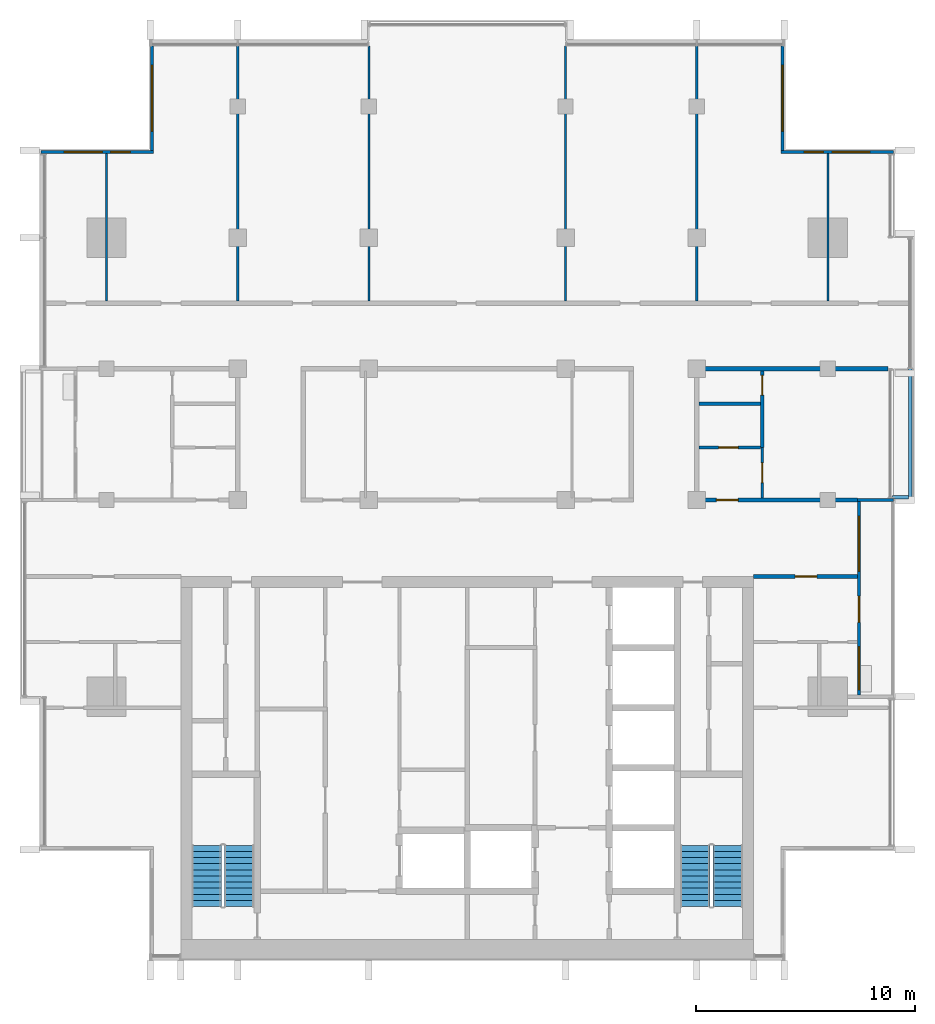
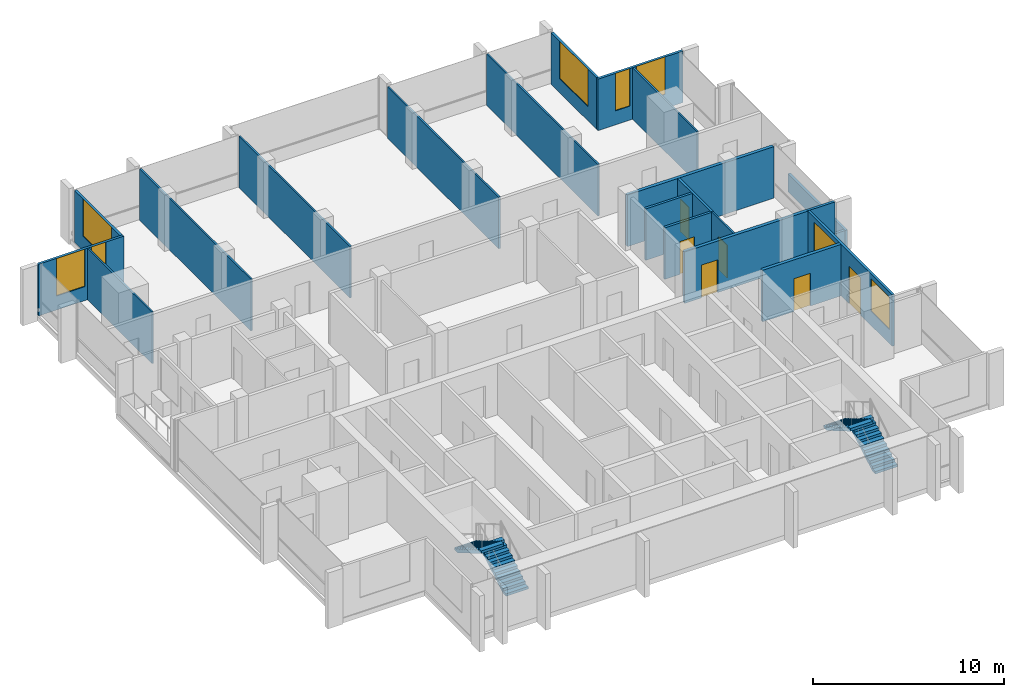
# One storey, part 10 of 15: 21 walls, 8 windows, 6 doors, 4 stair flights, 14 openings, 2 elements without a shape of their own.
"""IFC4 building model written with IfcOpenShell, lengths in metres."""

from ifc_helpers import new_model, si_unit, direction, frame, frame_2d, origin, place, context, subcontext, project, spatial, polyline, rectangle, outline, extrude, material, layer, layer_set, type_object, element, fill, aggregate, save


model = new_model("IFC4")

# Units and contexts
model_context = context("Model", 3, precision=1e-05, world=origin(), true_north=direction((0.0, 1.0)))
body_context = subcontext(model_context, "Body", "Model", "MODEL_VIEW")
ifc_project = project(units=[si_unit("LENGTHUNIT", "METRE"), si_unit("AREAUNIT", "SQUARE_METRE"), si_unit("VOLUMEUNIT", "CUBIC_METRE"), si_unit("PLANEANGLEUNIT", "RADIAN"), si_unit("MASSUNIT", "GRAM", prefix="KILO")], contexts=[model_context])

# Site, building, storey
site_placement = place(None, origin())
site = spatial("IfcSite", under=ifc_project, at=site_placement, CompositionType="ELEMENT")
building_placement = place(site_placement, origin())
building = spatial("IfcBuilding", under=site, at=building_placement, Name="Finial Court Residences", CompositionType="ELEMENT")
storey_placement = place(building_placement, frame((0.0, 0.0, 266.300048828125)))
storey = spatial("IfcBuildingStorey", under=building, at=storey_placement, Name="L67", CompositionType="ELEMENT", Elevation=266.300048828125)

# Wall, opening, door
ifc_material_1 = material(Name="Gypsum board")
ifc_layer_1 = layer(ifc_material_1, 0.02490234375)
ifc_material_2 = material(Name="Acoustic mineral wool in double frame")
ifc_layer_2 = layer(ifc_material_2, 0.14990234375)
ifc_layer_3 = layer(ifc_material_1, 0.02490234375)
ifc_layer_set_1 = layer_set([ifc_layer_1, ifc_layer_2, ifc_layer_3], Name="Corridor wall 200, 1 hour")
wall_type_1 = type_object("IfcWallType", Name="Corridor wall 200, 1 hour", PredefinedType="PARTITIONING", material=ifc_layer_set_1)
wall_1_placement = place(storey_placement, frame((13.10009765625, -8.0, 0.0), z_axis=(0.0, 0.0, 1.0), x_axis=(1.0, 0.0, 0.0)))
wall_1 = element("IfcWall", 1, at=wall_1_placement, inside=storey, type_object=wall_type_1, Name="Partition L67-005", PredefinedType="PARTITIONING", context=body_context, shape_type="SweptSolid", body=[
    extrude(rectangle(XDim=4.75, YDim=0.199951171875, at=frame_2d((2.375, 0.0))), origin(), (0.0, 0.0, 1.0), 3.300048828125),
])
opening_1_placement = place(wall_1_placement, frame((1.89990234375, 0.0, 0.0)))
opening_1 = element("IfcOpeningElement", 2, at=opening_1_placement, cuts=wall_1, Name="Opening L67-D008", PredefinedType="OPENING", context=body_context, shape_type="SweptSolid", body=[
    extrude(rectangle(XDim=1.0, YDim=2.10009765625, at=frame_2d((0.5, 1.050048828125))), frame((0.0, 0.10986328125, 0.0), z_axis=(0.0, -1.0, 0.0), x_axis=(1.0, 0.0, 0.0)), (0.0, 0.0, 1.0), 0.219970703125),
])
ifc_material_3 = material(Name="Timber door leaf in hollow metal frame", Category="wood")
door_type_1 = type_object("IfcDoorType", Name="Fire door set 1000 x 2100, 30 minutes", OperationType="SINGLE_SWING_LEFT", PredefinedType="DOOR", material=ifc_material_3)
door_1_placement = place(opening_1_placement, origin())
door_1 = element("IfcDoor", 3, at=door_1_placement, inside=storey, type_object=door_type_1, Name="Door L67-D008", OperationType="SINGLE_SWING_LEFT", OverallHeight=2.10009765625, OverallWidth=1.0, PredefinedType="DOOR", context=body_context, shape_type="SweptSolid", body=[
    extrude(rectangle(XDim=1.0, YDim=2.10009765625, at=frame_2d((0.5, 1.050048828125))), frame((0.0, 0.02490234375, 0.0), z_axis=(0.0, -1.0, 0.0), x_axis=(1.0, 0.0, 0.0)), (0.0, 0.0, 1.0), 0.050048828125),
])
fill(opening_1, door_1)

wall_2_placement = place(storey_placement, frame((10.39990234375, -4.5, 0.0), z_axis=(0.0, 0.0, 1.0), x_axis=(1.0, 0.0, 0.0)))
wall_2 = element("IfcWall", 4, at=wall_2_placement, inside=storey, type_object=wall_type_1, Name="Partition L67-008", PredefinedType="PARTITIONING", context=body_context, shape_type="SweptSolid", body=[
    extrude(rectangle(XDim=7.4501953125, YDim=0.199951171875, at=frame_2d((3.72509765625, 0.0))), origin(), (0.0, 0.0, 1.0), 3.300048828125),
])
opening_2_placement = place(wall_2_placement, frame((1.0, 0.0, 0.0)))
opening_2 = element("IfcOpeningElement", 5, at=opening_2_placement, cuts=wall_2, Name="Opening L67-D013", PredefinedType="OPENING", context=body_context, shape_type="SweptSolid", body=[
    extrude(rectangle(XDim=1.0, YDim=2.10009765625, at=frame_2d((0.5, 1.050048828125))), frame((0.0, 0.10986328125, 0.0), z_axis=(0.0, -1.0, 0.0), x_axis=(1.0, 0.0, 0.0)), (0.0, 0.0, 1.0), 0.219970703125),
])
door_2_placement = place(opening_2_placement, origin())
door_2 = element("IfcDoor", 6, at=door_2_placement, inside=storey, type_object=door_type_1, Name="Door L67-D013", OperationType="SINGLE_SWING_RIGHT", OverallHeight=2.10009765625, OverallWidth=1.0, PredefinedType="DOOR", context=body_context, shape_type="SweptSolid", body=[
    extrude(rectangle(XDim=1.0, YDim=2.10009765625, at=frame_2d((0.5, 1.050048828125))), frame((0.0, 0.02490234375, 0.0), z_axis=(0.0, -1.0, 0.0), x_axis=(1.0, 0.0, 0.0)), (0.0, 0.0, 1.0), 0.050048828125),
])
fill(opening_2, door_2)

# Walls
wall_3_placement = place(storey_placement, frame((10.39990234375, 1.5, 0.0), z_axis=(0.0, 0.0, 1.0), x_axis=(1.0, 0.0, 0.0)))
element("IfcWall", 7, at=wall_3_placement, inside=storey, type_object=wall_type_1, Name="Partition L67-015", PredefinedType="PARTITIONING", context=body_context, shape_type="SweptSolid", body=[
    extrude(rectangle(XDim=8.862548828125, YDim=0.199951171875, at=frame_2d((4.43115234375, 0.0))), origin(), (0.0, 0.0, 1.0), 3.300048828125),
])
ifc_layer_4 = layer(ifc_material_1, 0.012451171875)
ifc_material_4 = material(Name="Mineral wool in light-gauge frame")
ifc_layer_5 = layer(ifc_material_4, 0.074951171875)
ifc_layer_6 = layer(ifc_material_1, 0.012451171875)
ifc_layer_set_2 = layer_set([ifc_layer_4, ifc_layer_5, ifc_layer_6], Name="Gypsum board partition 100")
wall_type_2 = type_object("IfcWallType", Name="Gypsum board partition 100", PredefinedType="PARTITIONING", material=ifc_layer_set_2)
wall_4_placement = place(storey_placement, frame((-16.5, 4.60009765625, 0.0), z_axis=(0.0, 0.0, 1.0), x_axis=(0.0, 1.0, 0.0)))
element("IfcWall", 8, at=wall_4_placement, inside=storey, type_object=wall_type_2, Name="Partition L67-017", PredefinedType="PARTITIONING", context=body_context, shape_type="SweptSolid", body=[
    extrude(rectangle(XDim=6.75, YDim=0.10009765625, at=frame_2d((3.375, 0.0))), origin(), (0.0, 0.0, 1.0), 3.300048828125),
])
for number, where, z_axis, x_axis, name in (
    (9, (-10.5, 4.60009765625, 0.0), (0.0, 0.0, 1.0), (0.0, 1.0, 0.0), "Partition L67-022"),
    (10, (-4.5, 4.60009765625, 0.0), (0.0, 0.0, 1.0), (0.0, 1.0, 0.0), "Partition L67-025"),
    (11, (4.5, 4.60009765625, 0.0), (0.0, 0.0, 1.0), (0.0, 1.0, 0.0), "Partition L67-026"),
    (12, (10.5, 4.60009765625, 0.0), (0.0, 0.0, 1.0), (0.0, 1.0, 0.0), "Partition L67-030"),
):
    element("IfcWall", number, at=place(storey_placement, frame(where, z_axis=z_axis, x_axis=x_axis)), inside=storey, type_object=wall_type_2, Name=name, PredefinedType="PARTITIONING", context=body_context, shape_type="SweptSolid", body=[
        extrude(rectangle(XDim=11.662353515625, YDim=0.10009765625, at=frame_2d((5.8310546875, 0.0))), origin(), (0.0, 0.0, 1.0), 3.300048828125),
    ])

# Wall, opening, door
wall_5_placement = place(storey_placement, frame((13.5, -4.39990234375, 0.0), z_axis=(0.0, 0.0, 1.0), x_axis=(0.0, 1.0, 0.0)))
wall_5 = element("IfcWall", 13, at=wall_5_placement, inside=storey, type_object=wall_type_2, Name="Partition L67-031", PredefinedType="PARTITIONING", context=body_context, shape_type="SweptSolid", body=[
    extrude(rectangle(XDim=2.2998046875, YDim=0.10009765625, at=frame_2d((1.14990234375, 0.0))), origin(), (0.0, 0.0, 1.0), 3.300048828125),
])
opening_3_placement = place(wall_5_placement, frame((0.699951171875, 0.0, 0.0)))
opening_3 = element("IfcOpeningElement", 14, at=opening_3_placement, cuts=wall_5, Name="Opening L67-D025", PredefinedType="OPENING", context=body_context, shape_type="SweptSolid", body=[
    extrude(rectangle(XDim=0.89990234375, YDim=2.10009765625, at=frame_2d((0.449951171875, 1.050048828125))), frame((0.0, 0.06005859375, 0.0), z_axis=(0.0, -1.0, 0.0), x_axis=(1.0, 0.0, 0.0)), (0.0, 0.0, 1.0), 0.1201171875),
])
ifc_material_5 = material(Name="Timber door leaf in timber frame", Category="wood")
door_type_2 = type_object("IfcDoorType", Name="Door set 900 x 2100", OperationType="SINGLE_SWING_LEFT", PredefinedType="DOOR", material=ifc_material_5)
door_3_placement = place(opening_3_placement, origin())
door_3 = element("IfcDoor", 15, at=door_3_placement, inside=storey, type_object=door_type_2, Name="Door L67-D025", OperationType="SINGLE_SWING_LEFT", OverallHeight=2.10009765625, OverallWidth=0.89990234375, PredefinedType="DOOR", context=body_context, shape_type="SweptSolid", body=[
    extrude(rectangle(XDim=0.89990234375, YDim=2.10009765625, at=frame_2d((0.449951171875, 1.050048828125))), frame((0.0, 0.02490234375, 0.0), z_axis=(0.0, -1.0, 0.0), x_axis=(1.0, 0.0, 0.0)), (0.0, 0.0, 1.0), 0.050048828125),
])
fill(opening_3, door_3)

# Wall
wall_6_placement = place(storey_placement, frame((16.5, 4.60009765625, 0.0), z_axis=(0.0, 0.0, 1.0), x_axis=(0.0, 1.0, 0.0)))
element("IfcWall", 16, at=wall_6_placement, inside=storey, type_object=wall_type_2, Name="Partition L67-034", PredefinedType="PARTITIONING", context=body_context, shape_type="SweptSolid", body=[
    extrude(rectangle(XDim=6.75, YDim=0.10009765625, at=frame_2d((3.375, 0.0))), origin(), (0.0, 0.0, 1.0), 3.300048828125),
])

# Wall, opening, door
ifc_material_6 = material(Name="Moisture-resistant gypsum board")
ifc_layer_7 = layer(ifc_material_6, 0.012451171875)
ifc_layer_8 = layer(ifc_material_4, 0.125)
ifc_layer_9 = layer(ifc_material_6, 0.012451171875)
ifc_layer_set_3 = layer_set([ifc_layer_7, ifc_layer_8, ifc_layer_9], Name="Gypsum board wet-area partition 150")
wall_type_3 = type_object("IfcWallType", Name="Gypsum board wet-area partition 150", PredefinedType="PARTITIONING", material=ifc_layer_set_3)
wall_7_placement = place(storey_placement, frame((10.60009765625, -2.10009765625, 0.0), z_axis=(0.0, 0.0, 1.0), x_axis=(1.0, 0.0, 0.0)))
wall_7 = element("IfcWall", 17, at=wall_7_placement, inside=storey, type_object=wall_type_3, Name="Partition L67-010", PredefinedType="PARTITIONING", context=body_context, shape_type="SweptSolid", body=[
    extrude(rectangle(XDim=2.824951171875, YDim=0.14990234375, at=frame_2d((1.41259765625, 0.0))), origin(), (0.0, 0.0, 1.0), 3.300048828125),
])
opening_4_placement = place(wall_7_placement, frame((0.89990234375, 0.0, 0.0)))
opening_4 = element("IfcOpeningElement", 18, at=opening_4_placement, cuts=wall_7, Name="Opening L67-D015", PredefinedType="OPENING", context=body_context, shape_type="SweptSolid", body=[
    extrude(rectangle(XDim=0.89990234375, YDim=2.10009765625, at=frame_2d((0.449951171875, 1.050048828125))), frame((0.0, 0.0849609375, 0.0), z_axis=(0.0, -1.0, 0.0), x_axis=(1.0, 0.0, 0.0)), (0.0, 0.0, 1.0), 0.169921875),
])
door_4_placement = place(opening_4_placement, origin())
door_4 = element("IfcDoor", 19, at=door_4_placement, inside=storey, type_object=door_type_2, Name="Door L67-D015", OperationType="SINGLE_SWING_RIGHT", OverallHeight=2.10009765625, OverallWidth=0.89990234375, PredefinedType="DOOR", context=body_context, shape_type="SweptSolid", body=[
    extrude(rectangle(XDim=0.89990234375, YDim=2.10009765625, at=frame_2d((0.449951171875, 1.050048828125))), frame((0.0, 0.02490234375, 0.0), z_axis=(0.0, -1.0, 0.0), x_axis=(1.0, 0.0, 0.0)), (0.0, 0.0, 1.0), 0.050048828125),
])
fill(opening_4, door_4)

# Wall
wall_8_placement = place(storey_placement, frame((10.60009765625, -0.10009765625, 0.0), z_axis=(0.0, 0.0, 1.0), x_axis=(1.0, 0.0, 0.0)))
element("IfcWall", 20, at=wall_8_placement, inside=storey, type_object=wall_type_3, Name="Partition L67-012", PredefinedType="PARTITIONING", context=body_context, shape_type="SweptSolid", body=[
    extrude(rectangle(XDim=2.824951171875, YDim=0.14990234375, at=frame_2d((1.41259765625, 0.0))), origin(), (0.0, 0.0, 1.0), 3.300048828125),
])

# Wall, opening, door
wall_9_placement = place(storey_placement, frame((13.5, -2.10009765625, 0.0), z_axis=(0.0, 0.0, 1.0), x_axis=(0.0, 1.0, 0.0)))
wall_9 = element("IfcWall", 21, at=wall_9_placement, inside=storey, type_object=wall_type_3, Name="Partition L67-032", PredefinedType="PARTITIONING", context=body_context, shape_type="SweptSolid", body=[
    extrude(rectangle(XDim=3.5, YDim=0.14990234375, at=frame_2d((1.75, 0.0))), origin(), (0.0, 0.0, 1.0), 3.300048828125),
])
opening_5_placement = place(wall_9_placement, frame((2.39990234375, 0.0, 0.0)))
opening_5 = element("IfcOpeningElement", 22, at=opening_5_placement, cuts=wall_9, Name="Opening L67-D026", PredefinedType="OPENING", context=body_context, shape_type="SweptSolid", body=[
    extrude(rectangle(XDim=0.89990234375, YDim=2.10009765625, at=frame_2d((0.449951171875, 1.050048828125))), frame((0.0, 0.0849609375, 0.0), z_axis=(0.0, -1.0, 0.0), x_axis=(1.0, 0.0, 0.0)), (0.0, 0.0, 1.0), 0.169921875),
])
door_5_placement = place(opening_5_placement, origin())
door_5 = element("IfcDoor", 23, at=door_5_placement, inside=storey, type_object=door_type_2, Name="Door L67-D026", OperationType="SINGLE_SWING_LEFT", OverallHeight=2.10009765625, OverallWidth=0.89990234375, PredefinedType="DOOR", context=body_context, shape_type="SweptSolid", body=[
    extrude(rectangle(XDim=0.89990234375, YDim=2.10009765625, at=frame_2d((0.449951171875, 1.050048828125))), frame((0.0, 0.02490234375, 0.0), z_axis=(0.0, -1.0, 0.0), x_axis=(1.0, 0.0, 0.0)), (0.0, 0.0, 1.0), 0.050048828125),
])
fill(opening_5, door_5)

# Walls
ifc_material_7 = material(Name="Concrete C35/45", Category="concrete")
ifc_layer_10 = layer(ifc_material_7, 0.14990234375)
ifc_layer_set_4 = layer_set([ifc_layer_10], Name="Ledge parapet, Concrete C35/45 150")
wall_type_4 = type_object("IfcWallType", Name="Ledge parapet, Concrete C35/45 150", PredefinedType="PARAPET", material=ifc_layer_set_4)
wall_10_placement = place(storey_placement, frame((20.27490234375, 1.552490234375, 0.0), z_axis=(0.0, 0.0, 1.0), x_axis=(0.0, -1.0, 0.0)))
element("IfcWall", 24, at=wall_10_placement, inside=storey, type_object=wall_type_4, Name="E-L67-LED2-P1", PredefinedType="PARAPET", context=body_context, shape_type="SweptSolid", body=[
    extrude(rectangle(XDim=6.00244140625, YDim=0.14990234375, at=frame_2d((3.001220703125, 0.0))), origin(), (0.0, 0.0, 1.0), 1.14990234375),
])
wall_11_placement = place(storey_placement, frame((20.199951171875, -4.375, 0.0), z_axis=(0.0, 0.0, 1.0), x_axis=(-1.0, 0.0, 0.0)))
element("IfcWall", 25, at=wall_11_placement, inside=storey, type_object=wall_type_4, Name="E-L67-LED2-P2", PredefinedType="PARAPET", context=body_context, shape_type="SweptSolid", body=[
    extrude(rectangle(XDim=0.75244140625, YDim=0.14990234375, at=frame_2d((0.376220703125, 0.0))), origin(), (0.0, 0.0, 1.0), 1.14990234375),
])

# Wall, opening, window
ifc_material_8 = material(Name="Natural limestone", Category="masonry")
ifc_layer_11 = layer(ifc_material_8, 0.14990234375)
ifc_layer_set_5 = layer_set([ifc_layer_11], Name="Limestone clad wall 150")
wall_type_5 = type_object("IfcWallType", Name="Limestone clad wall 150", PredefinedType="SOLIDWALL", material=ifc_layer_set_5)
wall_12_placement = place(storey_placement, frame((-14.425048828125, 11.5, 0.0), z_axis=(0.0, 0.0, 1.0), x_axis=(0.0, 1.0, 0.0)))
wall_12 = element("IfcWall", 26, at=wall_12_placement, inside=storey, type_object=wall_type_5, Name="E-L67-NWW17", PredefinedType="SOLIDWALL", context=body_context, shape_type="SweptSolid", body=[
    extrude(rectangle(XDim=4.762451171875, YDim=0.14990234375, at=frame_2d((2.38134765625, 0.0))), origin(), (0.0, 0.0, 1.0), 3.300048828125),
])
opening_6_placement = place(wall_12_placement, frame((0.881103515625, 0.0, 0.89990234375)))
opening_6 = element("IfcOpeningElement", 27, at=opening_6_placement, cuts=wall_12, Name="Opening WE67-05", PredefinedType="OPENING", context=body_context, shape_type="SweptSolid", body=[
    extrude(rectangle(XDim=3.0, YDim=2.39990234375, at=frame_2d((1.5, 1.199951171875))), frame((0.0, 0.0849609375, 0.0), z_axis=(0.0, -1.0, 0.0), x_axis=(1.0, 0.0, 0.0)), (0.0, 0.0, 1.0), 0.169921875),
])
ifc_material_9 = material(Name="Clear low-e glass", Category="glass")
window_type_1 = type_object("IfcWindowType", Name="Corner window 3000 x 2400", PartitioningType="SINGLE_PANEL", PredefinedType="WINDOW", material=ifc_material_9)
window_1_placement = place(opening_6_placement, origin())
window_1 = element("IfcWindow", 28, at=window_1_placement, inside=storey, type_object=window_type_1, Name="E-L67-NWW17-W1", OverallHeight=2.39990234375, OverallWidth=3.0, PartitioningType="SINGLE_PANEL", PredefinedType="WINDOW", context=body_context, shape_type="SweptSolid", body=[
    extrude(rectangle(XDim=3.0, YDim=2.39990234375, at=frame_2d((1.5, 1.199951171875))), frame((0.0, 0.030029296875, 0.0), z_axis=(0.0, -1.0, 0.0), x_axis=(1.0, 0.0, 0.0)), (0.0, 0.0, 1.0), 0.06005859375),
])
fill(opening_6, window_1)

# Wall, openings, windows
wall_13_placement = place(storey_placement, frame((-19.5, 11.425048828125, 0.0), z_axis=(0.0, 0.0, 1.0), x_axis=(1.0, 0.0, 0.0)))
wall_13 = element("IfcWall", 29, at=wall_13_placement, inside=storey, type_object=wall_type_5, Name="E-L67-NWN18", PredefinedType="SOLIDWALL", context=body_context, shape_type="SweptSolid", body=[
    extrude(rectangle(XDim=5.14990234375, YDim=0.14990234375, at=frame_2d((2.574951171875, 0.0))), origin(), (0.0, 0.0, 1.0), 3.300048828125),
])
opening_7_placement = place(wall_13_placement, frame((1.074951171875, 0.0, 0.89990234375)))
opening_7 = element("IfcOpeningElement", 30, at=opening_7_placement, cuts=wall_13, Name="Opening WE67-06", PredefinedType="OPENING", context=body_context, shape_type="SweptSolid", body=[
    extrude(rectangle(XDim=1.72509765625, YDim=2.39990234375, at=frame_2d((0.862548828125, 1.199951171875))), frame((0.0, 0.0849609375, 0.0), z_axis=(0.0, -1.0, 0.0), x_axis=(1.0, 0.0, 0.0)), (0.0, 0.0, 1.0), 0.169921875),
])
opening_8_placement = place(wall_13_placement, frame((3.199951171875, 0.0, 0.89990234375)))
opening_8 = element("IfcOpeningElement", 31, at=opening_8_placement, cuts=wall_13, Name="Opening WE67-07", PredefinedType="OPENING", context=body_context, shape_type="SweptSolid", body=[
    extrude(rectangle(XDim=0.875, YDim=2.39990234375, at=frame_2d((0.4375, 1.199951171875))), frame((0.0, 0.0849609375, 0.0), z_axis=(0.0, -1.0, 0.0), x_axis=(1.0, 0.0, 0.0)), (0.0, 0.0, 1.0), 0.169921875),
])
window_type_2 = type_object("IfcWindowType", Name="Corner window 1725 x 2400", PartitioningType="SINGLE_PANEL", PredefinedType="WINDOW", material=ifc_material_9)
window_2_placement = place(opening_7_placement, origin())
window_2 = element("IfcWindow", 32, at=window_2_placement, inside=storey, type_object=window_type_2, Name="E-L67-NWN18-W1", OverallHeight=2.39990234375, OverallWidth=1.72509765625, PartitioningType="SINGLE_PANEL", PredefinedType="WINDOW", context=body_context, shape_type="SweptSolid", body=[
    extrude(rectangle(XDim=1.72509765625, YDim=2.39990234375, at=frame_2d((0.862548828125, 1.199951171875))), frame((0.0, 0.030029296875, 0.0), z_axis=(0.0, -1.0, 0.0), x_axis=(1.0, 0.0, 0.0)), (0.0, 0.0, 1.0), 0.06005859375),
])
fill(opening_7, window_2)
window_type_3 = type_object("IfcWindowType", Name="Corner window 875 x 2400", PartitioningType="SINGLE_PANEL", PredefinedType="WINDOW", material=ifc_material_9)
window_3_placement = place(opening_8_placement, origin())
window_3 = element("IfcWindow", 33, at=window_3_placement, inside=storey, type_object=window_type_3, Name="E-L67-NWN18-W2", OverallHeight=2.39990234375, OverallWidth=0.875, PartitioningType="SINGLE_PANEL", PredefinedType="WINDOW", context=body_context, shape_type="SweptSolid", body=[
    extrude(rectangle(XDim=0.875, YDim=2.39990234375, at=frame_2d((0.4375, 1.199951171875))), frame((0.0, 0.030029296875, 0.0), z_axis=(0.0, -1.0, 0.0), x_axis=(1.0, 0.0, 0.0)), (0.0, 0.0, 1.0), 0.06005859375),
])
fill(opening_8, window_3)

# Wall, opening, window
wall_14_placement = place(storey_placement, frame((14.425048828125, 16.262451171875, 0.0), z_axis=(0.0, 0.0, 1.0), x_axis=(0.0, -1.0, 0.0)))
wall_14 = element("IfcWall", 34, at=wall_14_placement, inside=storey, type_object=wall_type_5, Name="E-L67-NWE19", PredefinedType="SOLIDWALL", context=body_context, shape_type="SweptSolid", body=[
    extrude(rectangle(XDim=4.762451171875, YDim=0.14990234375, at=frame_2d((2.38134765625, 0.0))), origin(), (0.0, 0.0, 1.0), 3.300048828125),
])
opening_9_placement = place(wall_14_placement, frame((0.881103515625, 0.0, 0.89990234375)))
opening_9 = element("IfcOpeningElement", 35, at=opening_9_placement, cuts=wall_14, Name="Opening WE67-08", PredefinedType="OPENING", context=body_context, shape_type="SweptSolid", body=[
    extrude(rectangle(XDim=3.0, YDim=2.39990234375, at=frame_2d((1.5, 1.199951171875))), frame((0.0, 0.0849609375, 0.0), z_axis=(0.0, -1.0, 0.0), x_axis=(1.0, 0.0, 0.0)), (0.0, 0.0, 1.0), 0.169921875),
])
window_4_placement = place(opening_9_placement, origin())
window_4 = element("IfcWindow", 36, at=window_4_placement, inside=storey, type_object=window_type_1, Name="E-L67-NWE19-W1", OverallHeight=2.39990234375, OverallWidth=3.0, PartitioningType="SINGLE_PANEL", PredefinedType="WINDOW", context=body_context, shape_type="SweptSolid", body=[
    extrude(rectangle(XDim=3.0, YDim=2.39990234375, at=frame_2d((1.5, 1.199951171875))), frame((0.0, 0.030029296875, 0.0), z_axis=(0.0, -1.0, 0.0), x_axis=(1.0, 0.0, 0.0)), (0.0, 0.0, 1.0), 0.06005859375),
])
fill(opening_9, window_4)

# Wall, openings, windows
wall_15_placement = place(storey_placement, frame((14.35009765625, 11.425048828125, 0.0), z_axis=(0.0, 0.0, 1.0), x_axis=(1.0, 0.0, 0.0)))
wall_15 = element("IfcWall", 37, at=wall_15_placement, inside=storey, type_object=wall_type_5, Name="E-L67-NWN20", PredefinedType="SOLIDWALL", context=body_context, shape_type="SweptSolid", body=[
    extrude(rectangle(XDim=5.14990234375, YDim=0.14990234375, at=frame_2d((2.574951171875, 0.0))), origin(), (0.0, 0.0, 1.0), 3.300048828125),
])
opening_10_placement = place(wall_15_placement, frame((1.074951171875, 0.0, 0.89990234375)))
opening_10 = element("IfcOpeningElement", 38, at=opening_10_placement, cuts=wall_15, Name="Opening WE67-09", PredefinedType="OPENING", context=body_context, shape_type="SweptSolid", body=[
    extrude(rectangle(XDim=0.875, YDim=2.39990234375, at=frame_2d((0.4375, 1.199951171875))), frame((0.0, 0.0849609375, 0.0), z_axis=(0.0, -1.0, 0.0), x_axis=(1.0, 0.0, 0.0)), (0.0, 0.0, 1.0), 0.169921875),
])
opening_11_placement = place(wall_15_placement, frame((2.35009765625, 0.0, 0.89990234375)))
opening_11 = element("IfcOpeningElement", 39, at=opening_11_placement, cuts=wall_15, Name="Opening WE67-10", PredefinedType="OPENING", context=body_context, shape_type="SweptSolid", body=[
    extrude(rectangle(XDim=1.72509765625, YDim=2.39990234375, at=frame_2d((0.862548828125, 1.199951171875))), frame((0.0, 0.0849609375, 0.0), z_axis=(0.0, -1.0, 0.0), x_axis=(1.0, 0.0, 0.0)), (0.0, 0.0, 1.0), 0.169921875),
])
window_5_placement = place(opening_11_placement, origin())
window_5 = element("IfcWindow", 40, at=window_5_placement, inside=storey, type_object=window_type_2, Name="E-L67-NWN20-W2", OverallHeight=2.39990234375, OverallWidth=1.72509765625, PartitioningType="SINGLE_PANEL", PredefinedType="WINDOW", context=body_context, shape_type="SweptSolid", body=[
    extrude(rectangle(XDim=1.72509765625, YDim=2.39990234375, at=frame_2d((0.862548828125, 1.199951171875))), frame((0.0, 0.030029296875, 0.0), z_axis=(0.0, -1.0, 0.0), x_axis=(1.0, 0.0, 0.0)), (0.0, 0.0, 1.0), 0.06005859375),
])
fill(opening_11, window_5)
window_6_placement = place(opening_10_placement, origin())
window_6 = element("IfcWindow", 41, at=window_6_placement, inside=storey, type_object=window_type_3, Name="E-L67-NWN20-W1", OverallHeight=2.39990234375, OverallWidth=0.875, PartitioningType="SINGLE_PANEL", PredefinedType="WINDOW", context=body_context, shape_type="SweptSolid", body=[
    extrude(rectangle(XDim=0.875, YDim=2.39990234375, at=frame_2d((0.4375, 1.199951171875))), frame((0.0, 0.030029296875, 0.0), z_axis=(0.0, -1.0, 0.0), x_axis=(1.0, 0.0, 0.0)), (0.0, 0.0, 1.0), 0.06005859375),
])
fill(opening_10, window_6)

# Wall
wall_16_placement = place(storey_placement, frame((17.85009765625, -4.5, 0.0), z_axis=(0.0, 0.0, 1.0), x_axis=(1.0, 0.0, 0.0)))
element("IfcWall", 42, at=wall_16_placement, inside=storey, type_object=wall_type_5, Name="E-L67-BALE2-P2", PredefinedType="SOLIDWALL", context=body_context, shape_type="SweptSolid", body=[
    extrude(rectangle(XDim=1.64990234375, YDim=0.14990234375, at=frame_2d((0.824951171875, 0.0))), origin(), (0.0, 0.0, 1.0), 3.300048828125),
])

# Wall, openings, door, windows
wall_17_placement = place(storey_placement, frame((17.925048828125, -4.574951171875, 0.0), z_axis=(0.0, 0.0, 1.0), x_axis=(0.0, -1.0, 0.0)))
wall_17 = element("IfcWall", 43, at=wall_17_placement, inside=storey, type_object=wall_type_5, Name="E-L67-L67-BALE2-W", PredefinedType="SOLIDWALL", context=body_context, shape_type="SweptSolid", body=[
    extrude(rectangle(XDim=8.85009765625, YDim=0.14990234375, at=frame_2d((4.425048828125, 0.0))), origin(), (0.0, 0.0, 1.0), 3.300048828125),
])
opening_12_placement = place(wall_17_placement, frame((4.324951171875, 0.0, 0.0)))
opening_12 = element("IfcOpeningElement", 44, at=opening_12_placement, cuts=wall_17, Name="Opening DE67-01", PredefinedType="OPENING", context=body_context, shape_type="SweptSolid", body=[
    extrude(rectangle(XDim=1.199951171875, YDim=2.39990234375, at=frame_2d((0.60009765625, 1.199951171875))), frame((0.0, 0.0849609375, 0.0), z_axis=(0.0, -1.0, 0.0), x_axis=(1.0, 0.0, 0.0)), (0.0, 0.0, 1.0), 0.169921875),
])
opening_13_placement = place(wall_17_placement, frame((6.64990234375, 0.0, 0.89990234375)))
opening_13 = element("IfcOpeningElement", 45, at=opening_13_placement, cuts=wall_17, Name="Opening WE67-11", PredefinedType="OPENING", context=body_context, shape_type="SweptSolid", body=[
    extrude(rectangle(XDim=1.949951171875, YDim=2.10009765625, at=frame_2d((0.97509765625, 1.050048828125))), frame((0.0, 0.0849609375, 0.0), z_axis=(0.0, -1.0, 0.0), x_axis=(1.0, 0.0, 0.0)), (0.0, 0.0, 1.0), 0.169921875),
])
opening_14_placement = place(wall_17_placement, frame((0.662353515625, 0.0, 0.89990234375)))
opening_14 = element("IfcOpeningElement", 46, at=opening_14_placement, cuts=wall_17, Name="Opening WE67-12", PredefinedType="OPENING", context=body_context, shape_type="SweptSolid", body=[
    extrude(rectangle(XDim=2.512939453125, YDim=2.10009765625, at=frame_2d((1.25634765625, 1.050048828125))), frame((0.0, 0.0849609375, 0.0), z_axis=(0.0, -1.0, 0.0), x_axis=(1.0, 0.0, 0.0)), (0.0, 0.0, 1.0), 0.169921875),
])
ifc_material_10 = material(Name="Bronze anodised aluminium", Category="aluminium")
door_type_3 = type_object("IfcDoorType", Name="Balcony door 1200 x 2400", OperationType="SINGLE_SWING_LEFT", PredefinedType="DOOR", material=ifc_material_10)
door_6_placement = place(opening_12_placement, origin())
door_6 = element("IfcDoor", 47, at=door_6_placement, inside=storey, type_object=door_type_3, Name="E-L67-L67-BALE2-W-D", OperationType="SINGLE_SWING_RIGHT", OverallHeight=2.39990234375, OverallWidth=1.199951171875, PredefinedType="DOOR", context=body_context, shape_type="SweptSolid", body=[
    extrude(rectangle(XDim=1.199951171875, YDim=2.39990234375, at=frame_2d((0.60009765625, 1.199951171875))), frame((0.0, 0.02490234375, 0.0), z_axis=(0.0, -1.0, 0.0), x_axis=(1.0, 0.0, 0.0)), (0.0, 0.0, 1.0), 0.050048828125),
])
fill(opening_12, door_6)
window_type_4 = type_object("IfcWindowType", Name="Balcony window 1950 x 2100", PartitioningType="SINGLE_PANEL", PredefinedType="WINDOW", material=ifc_material_9)
window_7_placement = place(opening_13_placement, origin())
window_7 = element("IfcWindow", 48, at=window_7_placement, inside=storey, type_object=window_type_4, Name="E-L67-L67-BALE2-W-W1", OverallHeight=2.10009765625, OverallWidth=1.949951171875, PartitioningType="SINGLE_PANEL", PredefinedType="WINDOW", context=body_context, shape_type="SweptSolid", body=[
    extrude(rectangle(XDim=1.949951171875, YDim=2.10009765625, at=frame_2d((0.97509765625, 1.050048828125))), frame((0.0, 0.030029296875, 0.0), z_axis=(0.0, -1.0, 0.0), x_axis=(1.0, 0.0, 0.0)), (0.0, 0.0, 1.0), 0.06005859375),
])
fill(opening_13, window_7)
window_type_5 = type_object("IfcWindowType", Name="Balcony window 2513 x 2100", PartitioningType="SINGLE_PANEL", PredefinedType="WINDOW", material=ifc_material_9)
window_8_placement = place(opening_14_placement, origin())
window_8 = element("IfcWindow", 49, at=window_8_placement, inside=storey, type_object=window_type_5, Name="E-L67-L67-BALE2-W-W2", OverallHeight=2.10009765625, OverallWidth=2.512939453125, PartitioningType="SINGLE_PANEL", PredefinedType="WINDOW", context=body_context, shape_type="SweptSolid", body=[
    extrude(rectangle(XDim=2.512939453125, YDim=2.10009765625, at=frame_2d((1.25634765625, 1.050048828125))), frame((0.0, 0.030029296875, 0.0), z_axis=(0.0, -1.0, 0.0), x_axis=(1.0, 0.0, 0.0)), (0.0, 0.0, 1.0), 0.06005859375),
])
fill(opening_14, window_8)

# Stair, stair flights
ifc_material_11 = material(Name="Concrete C50/60", Category="concrete")
stair_type = type_object("IfcStairType", Name="Exit stair 22 risers of 163.6 mm", PredefinedType="HALF_TURN_STAIR", material=ifc_material_11)
stair_1_placement = place(storey_placement, origin())
stair_1 = element("IfcStair", 50, at=stair_1_placement, inside=storey, type_object=stair_type, Name="L67 Exit stair ST-1", PredefinedType="HALF_TURN_STAIR")
stair_flight_type = type_object("IfcStairFlightType", Name="Exit stair flight", PredefinedType="STRAIGHT", material=ifc_material_11)
stair_flight_1_placement = place(storey_placement, frame((-10.425048828125, -23.10009765625, 0.0), z_axis=(0.0, 0.0, 1.0), x_axis=(0.0, 1.0, 0.0)))
stair_flight_1 = element("IfcStairFlight", 51, at=stair_flight_1_placement, type_object=stair_flight_type, Name="ST-1 flight 1", NumberOfRisers=11, NumberOfTreads=10, PredefinedType="STRAIGHT", RiserHeight=0.163636364, TreadLength=0.28, context=body_context, shape_type="SweptSolid", body=[
    extrude(outline(polyline([(0.0, 0.0), (0.0, 0.16357421875), (0.280029296875, 0.16357421875), (0.280029296875, 0.327392578125), (0.56005859375, 0.327392578125), (0.56005859375, 0.490966796875), (0.840087890625, 0.490966796875), (0.840087890625, 0.654541015625), (1.1201171875, 0.654541015625), (1.1201171875, 0.818115234375), (1.39990234375, 0.818115234375), (1.39990234375, 0.98193359375), (1.679931640625, 0.98193359375), (1.679931640625, 1.1455078125), (1.9599609375, 1.1455078125), (1.9599609375, 1.30908203125), (2.239990234375, 1.30908203125), (2.239990234375, 1.47265625), (2.52001953125, 1.47265625), (2.52001953125, 1.636474609375), (2.800048828125, 1.636474609375), (2.800048828125, 1.800048828125), (2.800048828125, 1.462646484375), (0.297119140625, 0.0), (0.0, 0.0)])), frame((0.0, 0.675048828125, 0.0), z_axis=(0.0, -1.0, 0.0), x_axis=(1.0, 0.0, 0.0)), (0.0, 0.0, 1.0), 1.35009765625),
])
stair_flight_2_placement = place(storey_placement, frame((-11.925048828125, -20.300048828125, 1.800048828125), z_axis=(0.0, 0.0, 1.0), x_axis=(0.0, -1.0, 0.0)))
stair_flight_2 = element("IfcStairFlight", 52, at=stair_flight_2_placement, type_object=stair_flight_type, Name="ST-1 flight 2", NumberOfRisers=11, NumberOfTreads=10, PredefinedType="STRAIGHT", RiserHeight=0.163636364, TreadLength=0.28, context=body_context, shape_type="SweptSolid", body=[
    extrude(outline(polyline([(0.0, 0.0), (0.0, 0.16357421875), (0.280029296875, 0.16357421875), (0.280029296875, 0.327392578125), (0.56005859375, 0.327392578125), (0.56005859375, 0.490966796875), (0.840087890625, 0.490966796875), (0.840087890625, 0.654541015625), (1.1201171875, 0.654541015625), (1.1201171875, 0.818115234375), (1.39990234375, 0.818115234375), (1.39990234375, 0.98193359375), (1.679931640625, 0.98193359375), (1.679931640625, 1.1455078125), (1.9599609375, 1.1455078125), (1.9599609375, 1.30908203125), (2.239990234375, 1.30908203125), (2.239990234375, 1.47265625), (2.52001953125, 1.47265625), (2.52001953125, 1.636474609375), (2.800048828125, 1.636474609375), (2.800048828125, 1.800048828125), (2.800048828125, 1.462646484375), (0.297119140625, 0.0), (0.0, 0.0)])), frame((0.0, 0.675048828125, 0.0), z_axis=(0.0, -1.0, 0.0), x_axis=(1.0, 0.0, 0.0)), (0.0, 0.0, 1.0), 1.35009765625),
])
aggregate(stair_1, [stair_flight_1, stair_flight_2])

stair_2_placement = place(storey_placement, origin())
stair_2 = element("IfcStair", 53, at=stair_2_placement, inside=storey, type_object=stair_type, Name="L67 Exit stair ST-2", PredefinedType="HALF_TURN_STAIR")
stair_flight_3_placement = place(storey_placement, frame((11.925048828125, -23.10009765625, 0.0), z_axis=(0.0, 0.0, 1.0), x_axis=(0.0, 1.0, 0.0)))
stair_flight_3 = element("IfcStairFlight", 54, at=stair_flight_3_placement, type_object=stair_flight_type, Name="ST-2 flight 1", NumberOfRisers=11, NumberOfTreads=10, PredefinedType="STRAIGHT", RiserHeight=0.163636364, TreadLength=0.28, context=body_context, shape_type="SweptSolid", body=[
    extrude(outline(polyline([(0.0, 0.0), (0.0, 0.16357421875), (0.280029296875, 0.16357421875), (0.280029296875, 0.327392578125), (0.56005859375, 0.327392578125), (0.56005859375, 0.490966796875), (0.840087890625, 0.490966796875), (0.840087890625, 0.654541015625), (1.1201171875, 0.654541015625), (1.1201171875, 0.818115234375), (1.39990234375, 0.818115234375), (1.39990234375, 0.98193359375), (1.679931640625, 0.98193359375), (1.679931640625, 1.1455078125), (1.9599609375, 1.1455078125), (1.9599609375, 1.30908203125), (2.239990234375, 1.30908203125), (2.239990234375, 1.47265625), (2.52001953125, 1.47265625), (2.52001953125, 1.636474609375), (2.800048828125, 1.636474609375), (2.800048828125, 1.800048828125), (2.800048828125, 1.462646484375), (0.297119140625, 0.0), (0.0, 0.0)])), frame((0.0, 0.675048828125, 0.0), z_axis=(0.0, -1.0, 0.0), x_axis=(1.0, 0.0, 0.0)), (0.0, 0.0, 1.0), 1.35009765625),
])
stair_flight_4_placement = place(storey_placement, frame((10.425048828125, -20.300048828125, 1.800048828125), z_axis=(0.0, 0.0, 1.0), x_axis=(0.0, -1.0, 0.0)))
stair_flight_4 = element("IfcStairFlight", 55, at=stair_flight_4_placement, type_object=stair_flight_type, Name="ST-2 flight 2", NumberOfRisers=11, NumberOfTreads=10, PredefinedType="STRAIGHT", RiserHeight=0.163636364, TreadLength=0.28, context=body_context, shape_type="SweptSolid", body=[
    extrude(outline(polyline([(0.0, 0.0), (0.0, 0.16357421875), (0.280029296875, 0.16357421875), (0.280029296875, 0.327392578125), (0.56005859375, 0.327392578125), (0.56005859375, 0.490966796875), (0.840087890625, 0.490966796875), (0.840087890625, 0.654541015625), (1.1201171875, 0.654541015625), (1.1201171875, 0.818115234375), (1.39990234375, 0.818115234375), (1.39990234375, 0.98193359375), (1.679931640625, 0.98193359375), (1.679931640625, 1.1455078125), (1.9599609375, 1.1455078125), (1.9599609375, 1.30908203125), (2.239990234375, 1.30908203125), (2.239990234375, 1.47265625), (2.52001953125, 1.47265625), (2.52001953125, 1.636474609375), (2.800048828125, 1.636474609375), (2.800048828125, 1.800048828125), (2.800048828125, 1.462646484375), (0.297119140625, 0.0), (0.0, 0.0)])), frame((0.0, 0.675048828125, 0.0), z_axis=(0.0, -1.0, 0.0), x_axis=(1.0, 0.0, 0.0)), (0.0, 0.0, 1.0), 1.35009765625),
])
aggregate(stair_2, [stair_flight_3, stair_flight_4])

save(model, "model.ifc")
